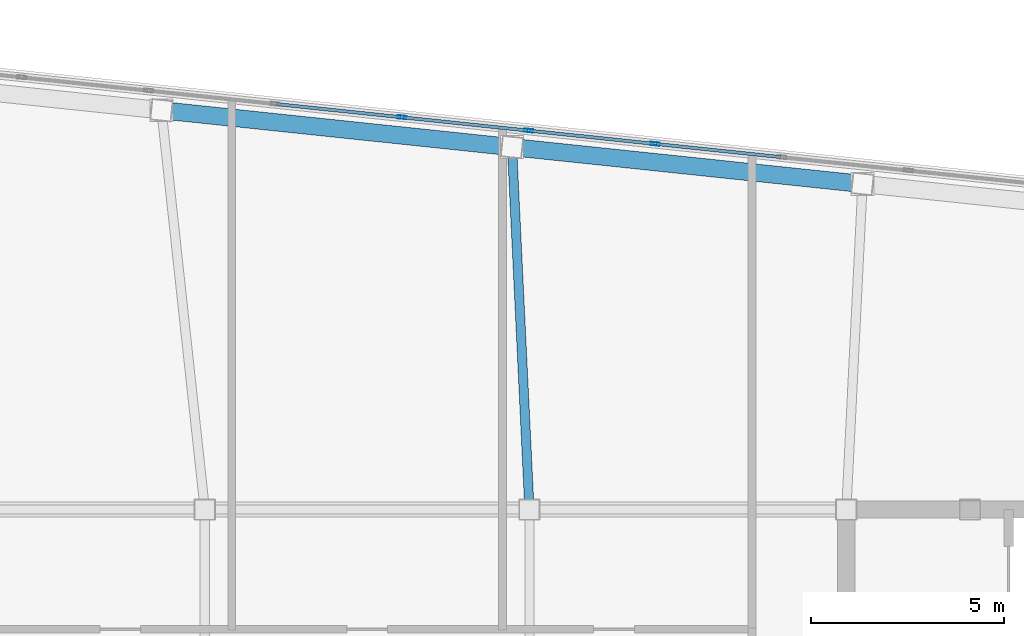
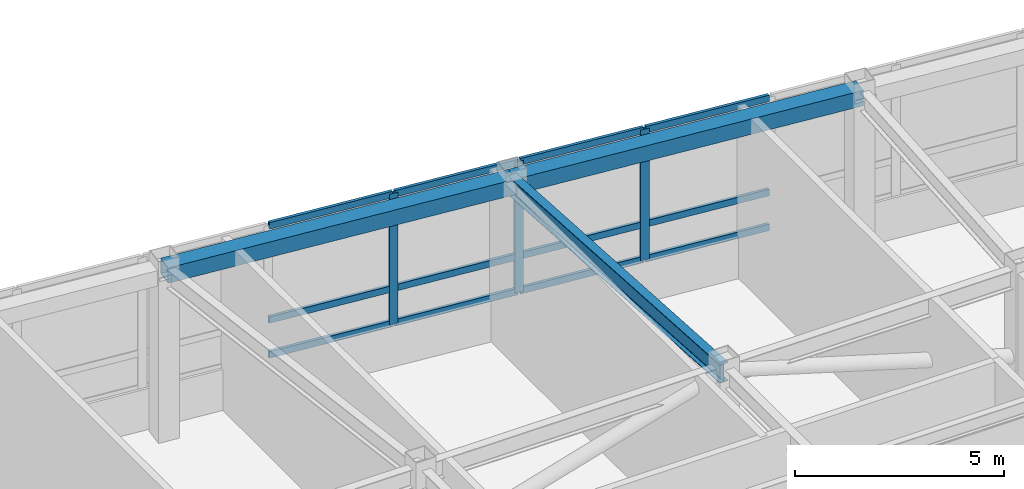
# One storey, part 16 of 23: 15 members, 3 beams, 1 element without a shape of its own.
"""IFC4 building model written with IfcOpenShell, lengths in metres."""

import ifcopenshell
import ifcopenshell.guid

model = None  # the IFC model being written
_history = None  # IfcOwnerHistory: only IFC2X3 demands one
_inside = {}  # id of a spatial element -> (the spatial element, [elements in it])
_under = {}  # id of a project, library or spatial element -> (it, [spatial elements below it])
_declared = {}  # id of a project -> (the project, [libraries it declares])
_typed = {}  # id of a type object -> (the type object, [elements of that type])
_made_of = {}  # id of a material, layer set ... -> (it, [elements and type objects made of it])


def new_model(schema):
    """Start an empty IFC model of exactly this schema.

    Asked for "IFC4X3", IfcOpenShell would pick the latest addendum, in which some entities
    have other attributes; the version numbers below select the first issue.
    IFC2X3 requires an IfcOwnerHistory on every rooted entity: one is made here for all.
    """
    global model, _history
    if schema == "IFC4X3":
        model = ifcopenshell.file(schema_version=(4, 3, 0, 0))
    else:
        model = ifcopenshell.file(schema=schema)
    _inside.clear()
    _under.clear()
    _declared.clear()
    _typed.clear()
    _made_of.clear()
    _history = None
    if model.schema == "IFC2X3":
        org = make("IfcOrganization", Name="unknown")
        user = make(
            "IfcPersonAndOrganization",
            ThePerson=make("IfcPerson", FamilyName="unknown"),
            TheOrganization=org,
        )
        app = make(
            "IfcApplication",
            ApplicationDeveloper=org,
            Version="unknown",
            ApplicationFullName="unknown",
            ApplicationIdentifier="unknown",
        )
        _history = make(
            "IfcOwnerHistory",
            OwningUser=user,
            OwningApplication=app,
            ChangeAction="ADDED",
            CreationDate=0,
        )
    return model


def make(cls, **values):
    """One entity of the class cls with the attributes given. An attribute that is None is left unset."""
    return model.create_entity(
        cls, **{name: value for name, value in values.items() if value is not None}
    )


def rooted(cls, **values):
    """An entity with a GlobalId (a new one), such as an element, a storey or a relation."""
    return make(cls, GlobalId=ifcopenshell.guid.new(), OwnerHistory=_history, **values)


def si_unit(unit_type, name, prefix=None):
    """IfcSIUnit, for example si_unit("LENGTHUNIT", "METRE", prefix="MILLI")."""
    return make("IfcSIUnit", UnitType=unit_type, Prefix=prefix, Name=name)


def assignment(units):
    """IfcUnitAssignment: the units of a project."""
    return None if units is None else make("IfcUnitAssignment", Units=units)


def point(xyz):
    """IfcCartesianPoint."""
    return None if xyz is None else make("IfcCartesianPoint", Coordinates=xyz)


def direction(xyz):
    """IfcDirection."""
    return None if xyz is None else make("IfcDirection", DirectionRatios=xyz)


def frame(location, z_axis=None, x_axis=None):
    """IfcAxis2Placement3D, a coordinate frame: its origin and axes. An axis left out is left unset."""
    return make(
        "IfcAxis2Placement3D",
        Location=point(location),
        Axis=direction(z_axis),
        RefDirection=direction(x_axis),
    )


def frame_2d(location, x_axis=None):
    """IfcAxis2Placement2D, a coordinate frame in the plane: its origin and x axis."""
    return make(
        "IfcAxis2Placement2D", Location=point(location), RefDirection=direction(x_axis)
    )


def origin():
    """The frame at (0, 0, 0) with its axes left unset."""
    return frame((0.0, 0.0, 0.0))


def origin_2d():
    """The frame at (0, 0) in the plane with its x axis left unset."""
    return frame_2d((0.0, 0.0))


def place(relative_to, where):
    """IfcLocalPlacement: puts the frame where relative to a parent placement (None: the world)."""
    return make(
        "IfcLocalPlacement", PlacementRelTo=relative_to, RelativePlacement=where
    )


def context(
    kind, dimensions, precision=None, world=None, true_north=None, identifier=None
):
    """IfcGeometricRepresentationContext, for example the 3D "Model" context."""
    return make(
        "IfcGeometricRepresentationContext",
        ContextIdentifier=identifier,
        ContextType=kind,
        CoordinateSpaceDimension=dimensions,
        Precision=precision,
        WorldCoordinateSystem=world,
        TrueNorth=true_north,
    )


def subcontext(parent, identifier, kind, view, scale=None):
    """IfcGeometricRepresentationSubContext, for example "Body" below "Model"."""
    return make(
        "IfcGeometricRepresentationSubContext",
        ContextIdentifier=identifier,
        ContextType=kind,
        ParentContext=parent,
        TargetScale=scale,
        TargetView=view,
    )


def project(units=None, contexts=None):
    """IfcProject with its units and contexts."""
    return rooted(
        "IfcProject",
        Name="project",
        RepresentationContexts=contexts,
        UnitsInContext=assignment(units),
    )


def spatial(cls, under=None, at=None, **own):
    """A site, building, storey or space (cls), placed at a placement, below another one or the project."""
    s = rooted(cls, ObjectPlacement=at, **own)
    if under is not None:
        _under.setdefault(under.id(), (under, []))[1].append(s)
    return s


def profile(cls, at=None, kind="AREA", **sizes):
    """A parametric profile (cls). Its sizes go by their IFC names, for example OverallWidth=200.0."""
    return make(cls, ProfileType=kind, Position=at, **sizes)


def hollow_rectangle(**sizes):
    """IfcRectangleHollowProfileDef."""
    return profile("IfcRectangleHollowProfileDef", **sizes)


def i_section(**sizes):
    """IfcIShapeProfileDef."""
    return profile("IfcIShapeProfileDef", **sizes)


def extrude(swept, where, along, depth):
    """IfcExtrudedAreaSolid: the profile swept, set in the frame where, extruded along a direction by depth."""
    return make(
        "IfcExtrudedAreaSolid",
        SweptArea=swept,
        Position=where,
        ExtrudedDirection=direction(along),
        Depth=depth,
    )


def shape(context_of_items, identifier, shape_type, items):
    """IfcShapeRepresentation: the items that make up one representation, for example the "Body"."""
    return make(
        "IfcShapeRepresentation",
        ContextOfItems=context_of_items,
        RepresentationIdentifier=identifier,
        RepresentationType=shape_type,
        Items=items,
    )


def material(Name=None, Category=None):
    """IfcMaterial."""
    return make("IfcMaterial", Name=Name, Category=Category)


def layer(
    of_material, thickness, ventilated=None, Name=None, Category=None, Priority=None
):
    """IfcMaterialLayer: one layer of a wall or slab, of a material (None: an air gap)."""
    return make(
        "IfcMaterialLayer",
        Material=of_material,
        LayerThickness=thickness,
        IsVentilated=ventilated,
        Name=Name,
        Category=Category,
        Priority=Priority,
    )


def layer_set(layers, Name=None):
    """IfcMaterialLayerSet."""
    return make("IfcMaterialLayerSet", MaterialLayers=layers, LayerSetName=Name)


def material_profile(
    of_material, cross_section, Name=None, Category=None, Priority=None
):
    """IfcMaterialProfile: a cross section and its material."""
    return make(
        "IfcMaterialProfile",
        Name=Name,
        Material=of_material,
        Profile=cross_section,
        Priority=Priority,
        Category=Category,
    )


def profile_set(profiles, Name=None, composite=None):
    """IfcMaterialProfileSet."""
    return make(
        "IfcMaterialProfileSet",
        Name=Name,
        MaterialProfiles=profiles,
        CompositeProfile=composite,
    )


def made_of(thing, what):
    """Note that an element or type object is made of a material, layer set ...; save() writes the relation."""
    if what is not None:
        _made_of.setdefault(what.id(), (what, []))[1].append(thing)
    return thing


def type_object(cls, material=None, **own):
    """A type object (cls), such as IfcWallType, which elements share."""
    return made_of(rooted(cls, **own), material)


def element(
    cls,
    number,
    at=None,
    inside=None,
    cuts=None,
    type_object=None,
    material=None,
    context=None,
    identifier="Body",
    shape_type=None,
    held_by="IfcProductDefinitionShape",
    body=None,
    shapes=None,
    **own,
):
    """One element of the class cls, such as IfcWall. Its Tag is "e" and its number.

    at: its placement. inside: the storey or other place that contains it. cuts: it is an
    opening in that element (IfcRelVoidsElement). A single representation is given by context,
    identifier, shape_type and body (its items); several are given by shapes. held_by: the class
    of the entity that holds the representations. save() writes the other relations.
    """
    e = rooted(cls, Tag="e%d" % number, ObjectPlacement=at, **own)
    if body is not None:
        shapes = [shape(context, identifier, shape_type, body)]
    if shapes is not None:
        e.Representation = make(held_by, Representations=shapes)
    if inside is not None:
        _inside.setdefault(inside.id(), (inside, []))[1].append(e)
    if cuts is not None:
        rooted(
            "IfcRelVoidsElement", RelatingBuildingElement=cuts, RelatedOpeningElement=e
        )
    if type_object is not None:
        _typed.setdefault(type_object.id(), (type_object, []))[1].append(e)
    return made_of(e, material)


def aggregate(whole, parts):
    """IfcRelAggregates: a whole, such as a stair, and the parts it consists of."""
    return rooted("IfcRelAggregates", RelatingObject=whole, RelatedObjects=parts)


def save(model, path):
    """Write the relations noted so far, then the file.

    IfcRelAggregates (storeys below a building ...), IfcRelContainedInSpatialStructure (elements
    in a storey), IfcRelDefinesByType, IfcRelAssociatesMaterial and IfcRelDeclares: one each for
    every whole, place, type object, material and project.
    """
    for whole, parts in _under.values():
        aggregate(whole, parts)
    for where, things in _inside.values():
        rooted(
            "IfcRelContainedInSpatialStructure",
            RelatedElements=things,
            RelatingStructure=where,
        )
    for kind, things in _typed.values():
        rooted("IfcRelDefinesByType", RelatedObjects=things, RelatingType=kind)
    for what, things in _made_of.values():
        rooted("IfcRelAssociatesMaterial", RelatedObjects=things, RelatingMaterial=what)
    for by, libraries in _declared.values():
        rooted("IfcRelDeclares", RelatingContext=by, RelatedDefinitions=libraries)
    model.write(path)


model = new_model("IFC4")

# Units and contexts
model_context = context("Model", 3, precision=1e-05, world=origin(), true_north=direction((0.0, 1.0)))
body_context = subcontext(model_context, "Body", "Model", "MODEL_VIEW")
ifc_project = project(units=[si_unit("LENGTHUNIT", "METRE"), si_unit("AREAUNIT", "SQUARE_METRE"), si_unit("VOLUMEUNIT", "CUBIC_METRE"), si_unit("PLANEANGLEUNIT", "RADIAN"), si_unit("MASSUNIT", "GRAM", prefix="KILO")], contexts=[model_context])

# Site, building, storey
site_placement = place(None, origin())
site = spatial("IfcSite", under=ifc_project, at=site_placement, CompositionType="ELEMENT")
building_placement = place(site_placement, origin())
building = spatial("IfcBuilding", under=site, at=building_placement, Name="Voryun Gate Residences", CompositionType="ELEMENT")
storey_placement = place(building_placement, frame((0.0, 0.0, 326.60009765625)))
storey = spatial("IfcBuildingStorey", under=building, at=storey_placement, Name="L80", CompositionType="ELEMENT", Elevation=326.60009765625)

# Beams
ifc_material_1 = material(Name="Steel SM355", Category="steel")
ifc_material_profile_1 = material_profile(ifc_material_1, hollow_rectangle(XDim=0.449951171875, YDim=0.449951171875, WallThickness=0.01806640625, at=origin_2d()), Name="BOX-450x450x18")
ifc_profile_set_1 = profile_set([ifc_material_profile_1], Name="Steel SM355")
beam_type_1 = type_object("IfcBeamType", Name="BM_CROWN_RING", PredefinedType="BEAM", material=ifc_profile_set_1)
for number, where, z_axis, x_axis, name in (
    (1, (12.818603515625, 15.824951171875, 4.7998046875), (-0.994521136856, 0.104535679778, 0.0), (-0.104535679778, -0.994521136856, 0.0), "BM-L80-SPAND-12"),
    (2, (3.74853515625, 16.7783203125, 4.7998046875), (-0.994521136856, 0.104535679778, 0.0), (-0.104535679778, -0.994521136856, 0.0), "BM-L80-SPAND-13"),
):
    element("IfcBeam", number, at=place(storey_placement, frame(where, z_axis=z_axis, x_axis=x_axis)), inside=storey, type_object=beam_type_1, Name=name, PredefinedType="BEAM", context=body_context, shape_type="SweptSolid", body=[
        extrude(hollow_rectangle(XDim=0.449951171875, YDim=0.449951171875, WallThickness=0.01806640625, at=origin_2d()), origin(), (0.0, 0.0, 1.0), 9.1201171875),
    ])
ifc_material_2 = material(Name="Steel SM355", Category="steel")
ifc_material_profile_2 = material_profile(ifc_material_2, i_section(OverallWidth=0.239990234375, OverallDepth=0.550048828125, WebThickness=0.011962890625, FlangeThickness=0.02001953125, FilletRadius=0.01806640625, at=origin_2d()), Name="H-550x240x12x20")
ifc_profile_set_2 = profile_set([ifc_material_profile_2], Name="Steel SM355")
beam_type_2 = type_object("IfcBeamType", Name="BM_GIRD_550", PredefinedType="USERDEFINED", material=ifc_profile_set_2)
beam_placement = place(storey_placement, frame((4.199951171875, 7.39990234375, 4.75), z_axis=(-0.048077831062, 0.998843592441, 0.0), x_axis=(-0.998843592441, -0.048077831062, 0.0)))
element("IfcBeam", 3, at=beam_placement, inside=storey, type_object=beam_type_2, Name="BM-L80-RAD-N3", ObjectType="GIRDER", PredefinedType="USERDEFINED", context=body_context, shape_type="SweptSolid", body=[
    extrude(i_section(OverallWidth=0.239990234375, OverallDepth=0.550048828125, WebThickness=0.011962890625, FlangeThickness=0.02001953125, FilletRadius=0.01806640625, at=origin_2d()), origin(), (0.0, 0.0, 1.0), 9.38916015625),
])

# Curtain wall, members
ifc_material_3 = material(Name="Anodised aluminium", Category="aluminium")
ifc_layer = layer(ifc_material_3, 0.22998046875, Name="CW_SYS_LANTERN_DARK_GLASS")
ifc_layer_set = layer_set([ifc_layer], Name="Anodised aluminium")
curtain_wall_type = type_object("IfcCurtainWallType", Name="CW_SYS_LANTERN_DARK_GLASS", PredefinedType="NOTDEFINED", material=ifc_layer_set)
curtain_wall_placement = place(storey_placement, origin())
curtain_wall = element("IfcCurtainWall", 4, at=curtain_wall_placement, inside=storey, type_object=curtain_wall_type, Name="Curtain wall CW6-L80-11", PredefinedType="NOTDEFINED")
ifc_material_4 = material(Name="Anodised aluminium", Category="aluminium")
ifc_material_profile_3 = material_profile(ifc_material_4, hollow_rectangle(XDim=0.0849609375, YDim=0.22998046875, WallThickness=0.006103515625, at=origin_2d()), Name="ALU-MULL-230x85x6")
ifc_profile_set_3 = profile_set([ifc_material_profile_3], Name="Anodised aluminium")
member_type_1 = type_object("IfcMemberType", Name="CW_MULL_LANT", PredefinedType="MULLION", material=ifc_profile_set_3)
member_1_placement = place(storey_placement, frame((0.90087890625, 17.55029296875, 1.18994140625), z_axis=(0.0, 0.0, 1.0), x_axis=(0.10452775858, 0.994521969434, 0.0)))
member_1 = element("IfcMember", 5, at=member_1_placement, type_object=member_type_1, Name="CW6 mullion 8", PredefinedType="MULLION", context=body_context, shape_type="SweptSolid", body=[
    extrude(hollow_rectangle(XDim=0.0849609375, YDim=0.22998046875, WallThickness=0.006103515625, at=origin_2d()), origin(), (0.0, 0.0, 1.0), 3.8349609375),
])
member_2_placement = place(storey_placement, frame((4.177490234375, 17.205810546875, 1.18994140625), z_axis=(0.0, 0.0, 1.0), x_axis=(0.10452775858, 0.994521969434, 0.0)))
member_2 = element("IfcMember", 6, at=member_2_placement, type_object=member_type_1, Name="CW6 mullion 9", PredefinedType="MULLION", context=body_context, shape_type="SweptSolid", body=[
    extrude(hollow_rectangle(XDim=0.0849609375, YDim=0.22998046875, WallThickness=0.006103515625, at=origin_2d()), origin(), (0.0, 0.0, 1.0), 3.8349609375),
])
member_3_placement = place(storey_placement, frame((7.4541015625, 16.861328125, 1.18994140625), z_axis=(0.0, 0.0, 1.0), x_axis=(0.10452775858, 0.994521969434, 0.0)))
member_3 = element("IfcMember", 7, at=member_3_placement, type_object=member_type_1, Name="CW6 mullion 10", PredefinedType="MULLION", context=body_context, shape_type="SweptSolid", body=[
    extrude(hollow_rectangle(XDim=0.0849609375, YDim=0.22998046875, WallThickness=0.006103515625, at=origin_2d()), origin(), (0.0, 0.0, 1.0), 3.8349609375),
])
ifc_material_5 = material(Name="Anodised aluminium", Category="aluminium")
ifc_material_profile_4 = material_profile(ifc_material_5, hollow_rectangle(XDim=0.0849609375, YDim=0.18994140625, WallThickness=0.006103515625, at=origin_2d()), Name="ALU-TRAN-190x85x6")
ifc_profile_set_4 = profile_set([ifc_material_profile_4], Name="Anodised aluminium")
member_type_2 = type_object("IfcMemberType", Name="CW_TRAN_LANT", PredefinedType="USERDEFINED", material=ifc_profile_set_4)
member_4_placement = place(storey_placement, frame((-2.345947265625, 17.891357421875, 1.219970703125), z_axis=(0.994521569819, -0.104531560613, 0.0), x_axis=(0.104531560613, 0.994521569819, 0.0)))
member_4 = element("IfcMember", 8, at=member_4_placement, type_object=member_type_2, Name="CW6 transom 7.1", ObjectType="TRANSOM", PredefinedType="USERDEFINED", context=body_context, shape_type="SweptSolid", body=[
    extrude(hollow_rectangle(XDim=0.0849609375, YDim=0.18994140625, WallThickness=0.006103515625, at=origin_2d()), origin(), (0.0, 0.0, 1.0), 3.23486328125),
])
member_5_placement = place(storey_placement, frame((-2.345947265625, 17.891357421875, 2.239990234375), z_axis=(0.994521569819, -0.104531560613, 0.0), x_axis=(0.104531560613, 0.994521569819, 0.0)))
member_5 = element("IfcMember", 9, at=member_5_placement, type_object=member_type_2, Name="CW6 transom 7.2", ObjectType="TRANSOM", PredefinedType="USERDEFINED", context=body_context, shape_type="SweptSolid", body=[
    extrude(hollow_rectangle(XDim=0.0849609375, YDim=0.18994140625, WallThickness=0.006103515625, at=origin_2d()), origin(), (0.0, 0.0, 1.0), 3.23486328125),
])
member_6_placement = place(storey_placement, frame((-2.345947265625, 17.891357421875, 4.994873046875), z_axis=(0.994521569819, -0.104531560613, 0.0), x_axis=(0.104531560613, 0.994521569819, 0.0)))
member_6 = element("IfcMember", 10, at=member_6_placement, type_object=member_type_2, Name="CW6 transom 7.3", ObjectType="TRANSOM", PredefinedType="USERDEFINED", context=body_context, shape_type="SweptSolid", body=[
    extrude(hollow_rectangle(XDim=0.0849609375, YDim=0.18994140625, WallThickness=0.006103515625, at=origin_2d()), origin(), (0.0, 0.0, 1.0), 3.23486328125),
])
member_7_placement = place(storey_placement, frame((0.930908203125, 17.547119140625, 1.219970703125), z_axis=(0.994520745033, -0.104539407398, 0.0), x_axis=(0.104539407398, 0.994520745033, 0.0)))
member_7 = element("IfcMember", 11, at=member_7_placement, type_object=member_type_2, Name="CW6 transom 8.1", ObjectType="TRANSOM", PredefinedType="USERDEFINED", context=body_context, shape_type="SweptSolid", body=[
    extrude(hollow_rectangle(XDim=0.0849609375, YDim=0.18994140625, WallThickness=0.006103515625, at=origin_2d()), origin(), (0.0, 0.0, 1.0), 3.234619140625),
])
member_8_placement = place(storey_placement, frame((0.930908203125, 17.547119140625, 2.239990234375), z_axis=(0.994520745033, -0.104539407398, 0.0), x_axis=(0.104539407398, 0.994520745033, 0.0)))
member_8 = element("IfcMember", 12, at=member_8_placement, type_object=member_type_2, Name="CW6 transom 8.2", ObjectType="TRANSOM", PredefinedType="USERDEFINED", context=body_context, shape_type="SweptSolid", body=[
    extrude(hollow_rectangle(XDim=0.0849609375, YDim=0.18994140625, WallThickness=0.006103515625, at=origin_2d()), origin(), (0.0, 0.0, 1.0), 3.234619140625),
])
member_9_placement = place(storey_placement, frame((0.930908203125, 17.547119140625, 4.994873046875), z_axis=(0.994520745033, -0.104539407398, 0.0), x_axis=(0.104539407398, 0.994520745033, 0.0)))
member_9 = element("IfcMember", 13, at=member_9_placement, type_object=member_type_2, Name="CW6 transom 8.3", ObjectType="TRANSOM", PredefinedType="USERDEFINED", context=body_context, shape_type="SweptSolid", body=[
    extrude(hollow_rectangle(XDim=0.0849609375, YDim=0.18994140625, WallThickness=0.006103515625, at=origin_2d()), origin(), (0.0, 0.0, 1.0), 3.234619140625),
])
member_10_placement = place(storey_placement, frame((4.20751953125, 17.20263671875, 1.219970703125), z_axis=(0.994520745033, -0.104539407398, 0.0), x_axis=(0.104539407398, 0.994520745033, 0.0)))
member_10 = element("IfcMember", 14, at=member_10_placement, type_object=member_type_2, Name="CW6 transom 9.1", ObjectType="TRANSOM", PredefinedType="USERDEFINED", context=body_context, shape_type="SweptSolid", body=[
    extrude(hollow_rectangle(XDim=0.0849609375, YDim=0.18994140625, WallThickness=0.006103515625, at=origin_2d()), origin(), (0.0, 0.0, 1.0), 3.234619140625),
])
member_11_placement = place(storey_placement, frame((4.20751953125, 17.20263671875, 2.239990234375), z_axis=(0.994520745033, -0.104539407398, 0.0), x_axis=(0.104539407398, 0.994520745033, 0.0)))
member_11 = element("IfcMember", 15, at=member_11_placement, type_object=member_type_2, Name="CW6 transom 9.2", ObjectType="TRANSOM", PredefinedType="USERDEFINED", context=body_context, shape_type="SweptSolid", body=[
    extrude(hollow_rectangle(XDim=0.0849609375, YDim=0.18994140625, WallThickness=0.006103515625, at=origin_2d()), origin(), (0.0, 0.0, 1.0), 3.234619140625),
])
member_12_placement = place(storey_placement, frame((4.20751953125, 17.20263671875, 4.994873046875), z_axis=(0.994520745033, -0.104539407398, 0.0), x_axis=(0.104539407398, 0.994520745033, 0.0)))
member_12 = element("IfcMember", 16, at=member_12_placement, type_object=member_type_2, Name="CW6 transom 9.3", ObjectType="TRANSOM", PredefinedType="USERDEFINED", context=body_context, shape_type="SweptSolid", body=[
    extrude(hollow_rectangle(XDim=0.0849609375, YDim=0.18994140625, WallThickness=0.006103515625, at=origin_2d()), origin(), (0.0, 0.0, 1.0), 3.234619140625),
])
member_13_placement = place(storey_placement, frame((7.484130859375, 16.8583984375, 1.219970703125), z_axis=(0.994520745033, -0.104539407398, 0.0), x_axis=(0.104539407398, 0.994520745033, 0.0)))
member_13 = element("IfcMember", 17, at=member_13_placement, type_object=member_type_2, Name="CW6 transom 10.1", ObjectType="TRANSOM", PredefinedType="USERDEFINED", context=body_context, shape_type="SweptSolid", body=[
    extrude(hollow_rectangle(XDim=0.0849609375, YDim=0.18994140625, WallThickness=0.006103515625, at=origin_2d()), origin(), (0.0, 0.0, 1.0), 3.234619140625),
])
member_14_placement = place(storey_placement, frame((7.484130859375, 16.8583984375, 2.239990234375), z_axis=(0.994520745033, -0.104539407398, 0.0), x_axis=(0.104539407398, 0.994520745033, 0.0)))
member_14 = element("IfcMember", 18, at=member_14_placement, type_object=member_type_2, Name="CW6 transom 10.2", ObjectType="TRANSOM", PredefinedType="USERDEFINED", context=body_context, shape_type="SweptSolid", body=[
    extrude(hollow_rectangle(XDim=0.0849609375, YDim=0.18994140625, WallThickness=0.006103515625, at=origin_2d()), origin(), (0.0, 0.0, 1.0), 3.234619140625),
])
member_15_placement = place(storey_placement, frame((7.484130859375, 16.8583984375, 4.994873046875), z_axis=(0.994520745033, -0.104539407398, 0.0), x_axis=(0.104539407398, 0.994520745033, 0.0)))
member_15 = element("IfcMember", 19, at=member_15_placement, type_object=member_type_2, Name="CW6 transom 10.3", ObjectType="TRANSOM", PredefinedType="USERDEFINED", context=body_context, shape_type="SweptSolid", body=[
    extrude(hollow_rectangle(XDim=0.0849609375, YDim=0.18994140625, WallThickness=0.006103515625, at=origin_2d()), origin(), (0.0, 0.0, 1.0), 3.234619140625),
])
aggregate(curtain_wall, [member_1, member_2, member_3, member_4, member_5, member_6, member_7, member_8, member_9, member_10, member_11, member_12, member_13, member_14, member_15])

save(model, "model.ifc")
